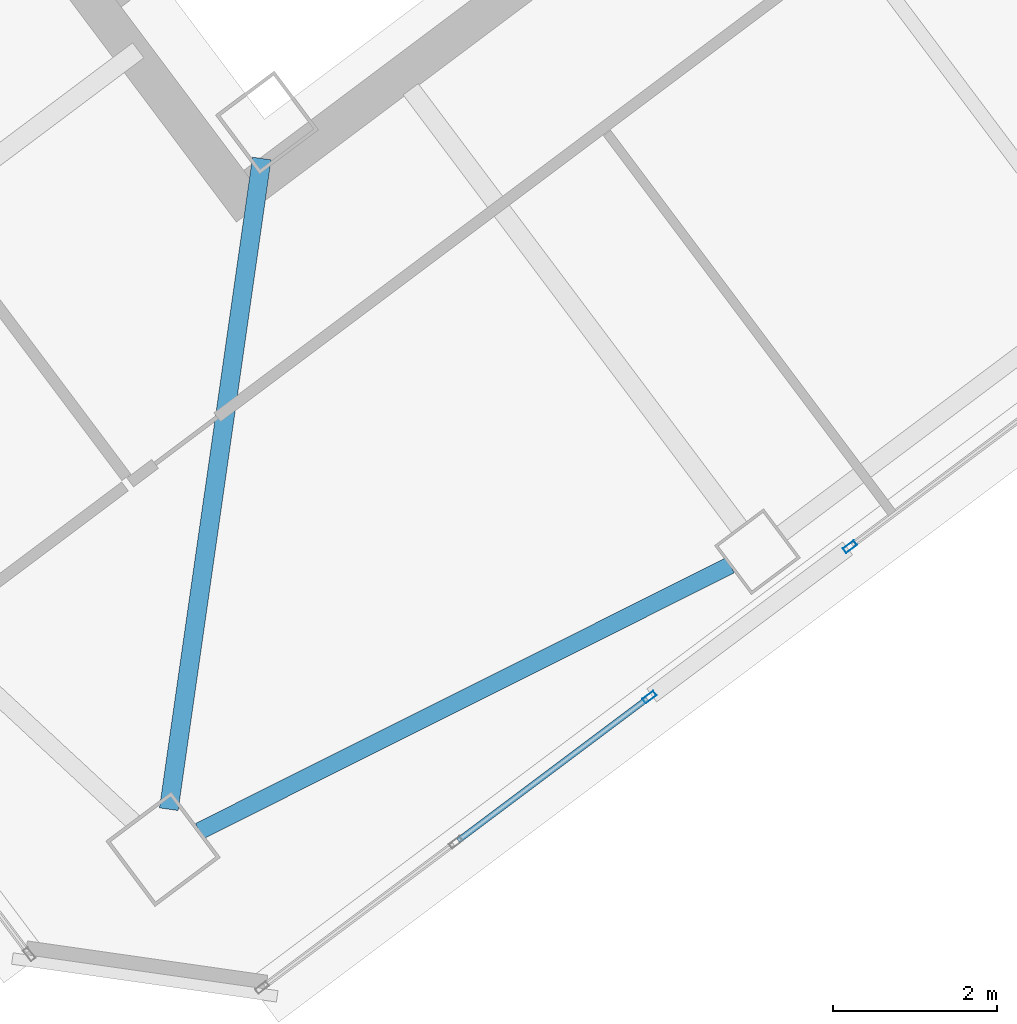
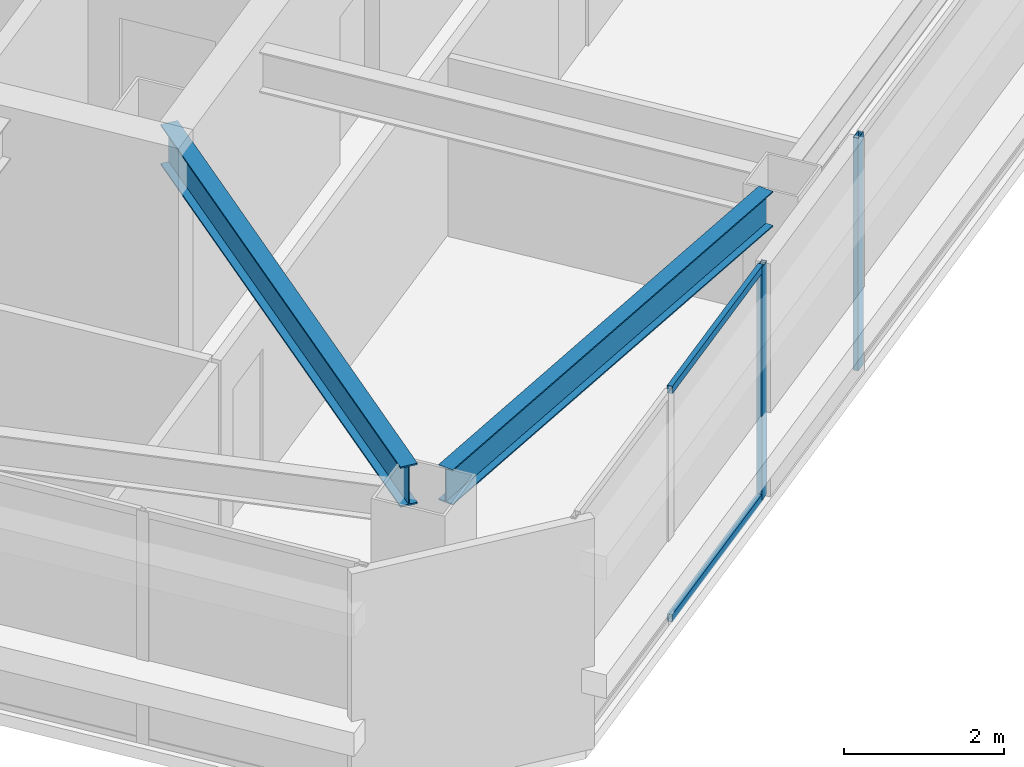
# One storey, part 17 of 39: 4 members, 2 beams, 2 elements without a shape of their own.
"""IFC4 building model written with IfcOpenShell, lengths in metres."""

from ifc_helpers import new_model, si_unit, direction, frame, origin, origin_2d, place, context, subcontext, project, spatial, hollow_rectangle, i_section, extrude, material, material_profile, profile_set, type_object, element, aggregate, save


model = new_model("IFC4")

# Units and contexts
model_context = context("Model", 3, precision=1e-05, world=origin(), true_north=direction((0.0, 1.0)))
body_context = subcontext(model_context, "Body", "Model", "MODEL_VIEW")
ifc_project = project(units=[si_unit("LENGTHUNIT", "METRE"), si_unit("AREAUNIT", "SQUARE_METRE"), si_unit("VOLUMEUNIT", "CUBIC_METRE"), si_unit("PLANEANGLEUNIT", "RADIAN"), si_unit("MASSUNIT", "GRAM", prefix="KILO")], contexts=[model_context])

# Site, building, storey
site_placement = place(None, origin())
site = spatial("IfcSite", under=ifc_project, at=site_placement, CompositionType="ELEMENT")
building_placement = place(site_placement, origin())
building = spatial("IfcBuilding", under=site, at=building_placement, Name="Tashvorn Skyway Center", CompositionType="ELEMENT")
storey_placement = place(building_placement, frame((0.0, 0.0, 214.85009765625)))
storey = spatial("IfcBuildingStorey", under=building, at=storey_placement, Name="L58", CompositionType="ELEMENT", Elevation=214.85009765625)

# Beams
ifc_material_1 = material(Name="Steel ASTM A992 Grade 50", Category="steel")
ifc_material_profile_1 = material_profile(ifc_material_1, i_section(OverallWidth=0.22998046875, OverallDepth=0.616943359375, WebThickness=0.01318359375, FlangeThickness=0.022216796875, at=origin_2d()), Name="W24X94")
ifc_profile_set_1 = profile_set([ifc_material_profile_1], Name="Steel ASTM A992 Grade 50")
beam_type_1 = type_object("IfcBeamType", Name="BM-BEAM-W24X94", PredefinedType="BEAM", material=ifc_profile_set_1)
beam_1_placement = place(storey_placement, frame((111.389892578125, 13.72998046875, 3.0615234375), z_axis=(0.141438360399, 0.989947064346, 0.0), x_axis=(-0.989947064346, 0.141438360399, 0.0)))
element("IfcBeam", 1, at=beam_1_placement, inside=storey, type_object=beam_type_1, Name="Tower 2 L58 Primary Floor Girder MC-SW", PredefinedType="BEAM", context=body_context, shape_type="SweptSolid", body=[
    extrude(i_section(OverallWidth=0.22998046875, OverallDepth=0.616943359375, WebThickness=0.01318359375, FlangeThickness=0.022216796875, at=origin_2d()), origin(), (0.0, 0.0, 1.0), 8.040283203125),
])
ifc_material_profile_2 = material_profile(ifc_material_1, i_section(OverallWidth=0.2109375, OverallDepth=0.5390625, WebThickness=0.01171875, FlangeThickness=0.018798828125, at=origin_2d()), Name="W21X73")
ifc_profile_set_2 = profile_set([ifc_material_profile_2], Name="Steel ASTM A992 Grade 50")
beam_type_2 = type_object("IfcBeamType", Name="BM-SPANDREL-W21X73", PredefinedType="SPANDREL", material=ifc_profile_set_2)
beam_2_placement = place(storey_placement, frame((111.7626953125, 13.461669921875, 3.100341796875), z_axis=(0.894178380472, 0.447710870872, 0.0), x_axis=(-0.447710870872, 0.894178380472, 0.0)))
element("IfcBeam", 2, at=beam_2_placement, inside=storey, type_object=beam_type_2, Name="Tower 2 L58 Spandrel Beam 01", PredefinedType="SPANDREL", context=body_context, shape_type="SweptSolid", body=[
    extrude(i_section(OverallWidth=0.2109375, OverallDepth=0.5390625, WebThickness=0.01171875, FlangeThickness=0.018798828125, at=origin_2d()), origin(), (0.0, 0.0, 1.0), 7.26513671875),
])

# Curtain wall, member
ifc_material_2 = material(Name="Thermally broken bronze-anodized aluminium 6063-T6", Category="aluminium")
curtain_wall_type = type_object("IfcCurtainWallType", Name="CW-CW-Z5", PredefinedType="NOTDEFINED", material=ifc_material_2)
curtain_wall_1_placement = place(storey_placement, origin())
curtain_wall_1 = element("IfcCurtainWall", 3, at=curtain_wall_1_placement, inside=storey, type_object=curtain_wall_type, Name="Tower 2 L58 South Unitised Curtain Wall Glazing Group 2", PredefinedType="NOTDEFINED")
ifc_material_profile_3 = material_profile(ifc_material_2, hollow_rectangle(XDim=0.070068359375, YDim=0.1650390625, WallThickness=0.00390625, at=origin_2d()), Name="ALU-MULL-70x165")
ifc_profile_set_3 = profile_set([ifc_material_profile_3], Name="Thermally broken bronze-anodized aluminium 6063-T6")
member_type_1 = type_object("IfcMemberType", Name="CWM-CW-Z5", PredefinedType="MULLION", material=ifc_profile_set_3)
member_1_placement = place(storey_placement, frame((119.72119140625, 16.94091796875, 0.0), z_axis=(0.0, 0.0, 1.0), x_axis=(0.599996439189, -0.800002670596, 0.0)))
member_1 = element("IfcMember", 4, at=member_1_placement, type_object=member_type_1, Name="CW-Z5 mullion 2", PredefinedType="MULLION", context=body_context, shape_type="SweptSolid", body=[
    extrude(hollow_rectangle(XDim=0.070068359375, YDim=0.1650390625, WallThickness=0.00390625, at=origin_2d()), origin(), (0.0, 0.0, 1.0), 3.5498046875),
])
aggregate(curtain_wall_1, [member_1])

# Curtain wall, members
curtain_wall_2_placement = place(storey_placement, origin())
curtain_wall_2 = element("IfcCurtainWall", 5, at=curtain_wall_2_placement, inside=storey, type_object=curtain_wall_type, Name="Tower 2 L58 South Unitised Curtain Wall Glazing Group 3", PredefinedType="NOTDEFINED")
member_2_placement = place(storey_placement, frame((117.268798828125, 15.101806640625, 0.0), z_axis=(0.0, 0.0, 1.0), x_axis=(0.600002670604, -0.79999799704, 0.0)))
member_2 = element("IfcMember", 6, at=member_2_placement, type_object=member_type_1, Name="CW-Z5 mullion 1", PredefinedType="MULLION", context=body_context, shape_type="SweptSolid", body=[
    extrude(hollow_rectangle(XDim=0.070068359375, YDim=0.1650390625, WallThickness=0.00390625, at=origin_2d()), origin(), (0.0, 0.0, 1.0), 3.5498046875),
])
ifc_material_profile_4 = material_profile(ifc_material_2, hollow_rectangle(XDim=0.070068359375, YDim=0.114990234375, WallThickness=0.00390625, at=origin_2d()), Name="ALU-TRAN-70x115")
ifc_profile_set_4 = profile_set([ifc_material_profile_4], Name="Thermally broken bronze-anodized aluminium 6063-T6")
member_type_2 = type_object("IfcMemberType", Name="CWT-CW-Z5", PredefinedType="USERDEFINED", material=ifc_profile_set_4)
member_3_placement = place(storey_placement, frame((117.240966796875, 15.080810546875, 0.034912109375), z_axis=(-0.8, -0.6, 0.0), x_axis=(0.6, -0.8, 0.0)))
member_3 = element("IfcMember", 7, at=member_3_placement, type_object=member_type_2, Name="CW-Z5 transom 1.1", ObjectType="TRANSOM", PredefinedType="USERDEFINED", context=body_context, shape_type="SweptSolid", body=[
    extrude(hollow_rectangle(XDim=0.070068359375, YDim=0.114990234375, WallThickness=0.00390625, at=origin_2d()), origin(), (0.0, 0.0, 1.0), 2.890625),
])
member_4_placement = place(storey_placement, frame((117.240966796875, 15.080810546875, 3.514892578125), z_axis=(-0.8, -0.6, 0.0), x_axis=(0.6, -0.8, 0.0)))
member_4 = element("IfcMember", 8, at=member_4_placement, type_object=member_type_2, Name="CW-Z5 transom 1.2", ObjectType="TRANSOM", PredefinedType="USERDEFINED", context=body_context, shape_type="SweptSolid", body=[
    extrude(hollow_rectangle(XDim=0.070068359375, YDim=0.114990234375, WallThickness=0.00390625, at=origin_2d()), origin(), (0.0, 0.0, 1.0), 2.890625),
])
aggregate(curtain_wall_2, [member_2, member_3, member_4])

save(model, "model.ifc")
